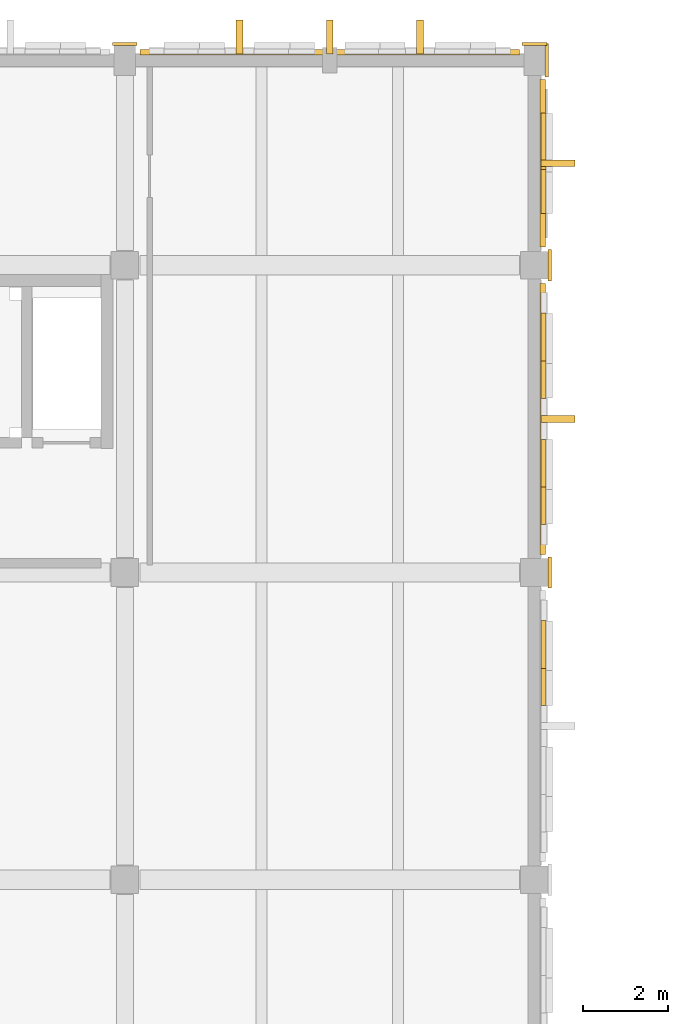
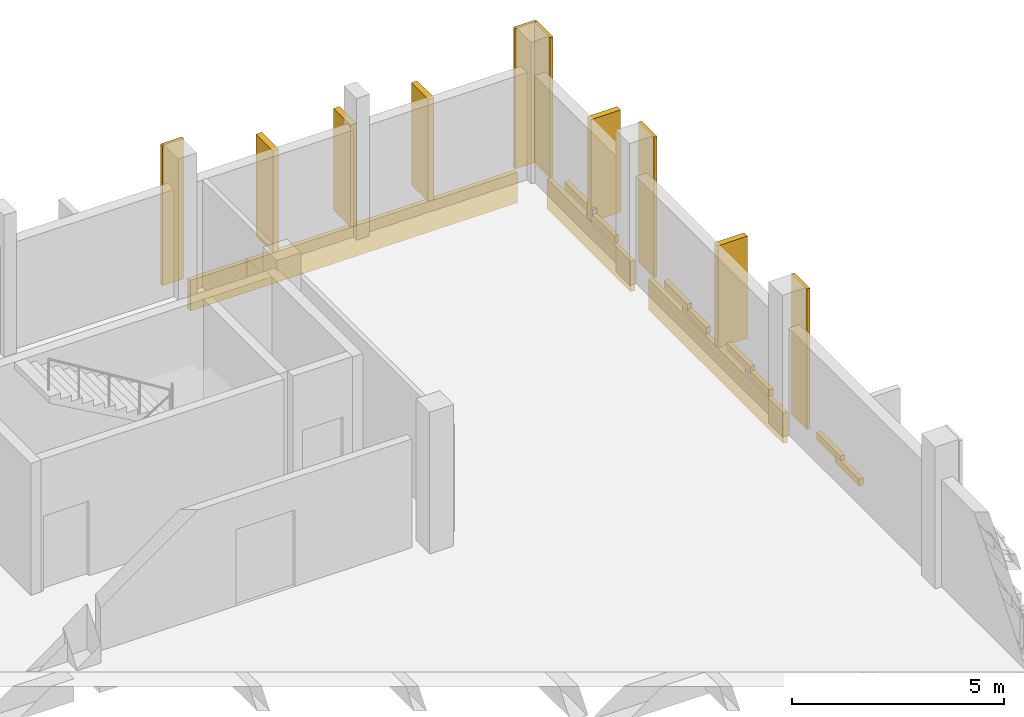
# One storey, part 68 of 72: 21 coverings.
"""IFC4 building model written with IfcOpenShell, lengths in metres."""

from ifc_helpers import new_model, si_unit, direction, frame, origin, origin_2d, place, context, subcontext, project, spatial, rectangle, extrude, material, layer, layer_set, type_object, element, save


model = new_model("IFC4")

# Units and contexts
model_context = context("Model", 3, precision=1e-05, world=origin(), true_north=direction((0.0, 1.0)))
body_context = subcontext(model_context, "Body", "Model", "MODEL_VIEW")
ifc_project = project(units=[si_unit("LENGTHUNIT", "METRE"), si_unit("AREAUNIT", "SQUARE_METRE"), si_unit("VOLUMEUNIT", "CUBIC_METRE"), si_unit("PLANEANGLEUNIT", "RADIAN"), si_unit("MASSUNIT", "GRAM", prefix="KILO")], contexts=[model_context])

# Site, building, storey
site_placement = place(None, origin())
site = spatial("IfcSite", under=ifc_project, at=site_placement, CompositionType="ELEMENT")
building_placement = place(site_placement, origin())
building = spatial("IfcBuilding", under=site, at=building_placement, Name="Asteropetra Specialist Clinic", CompositionType="ELEMENT")
storey_placement = place(building_placement, frame((0.0, 0.0, 12.580078125)))
storey = spatial("IfcBuildingStorey", under=building, at=storey_placement, Name="L03", CompositionType="ELEMENT", Elevation=12.580078125)

# Coverings
ifc_material_1 = material(Name="Chevron terracotta pale", Category="masonry")
ifc_layer_1 = layer(ifc_material_1, 0.1201171875)
ifc_layer_set_1 = layer_set([ifc_layer_1], Name="Chevron terracotta pale")
covering_type_1 = type_object("IfcCoveringType", Name="CLD-TER-PALE", PredefinedType="CLADDING", material=ifc_layer_set_1)
covering_1_placement = place(storey_placement, frame((43.199951171875, 110.590087890625, -0.800048828125), z_axis=(0.0, 0.0, 1.0), x_axis=(1.0, 0.0, 0.0)))
element("IfcCovering", 1, at=covering_1_placement, inside=storey, type_object=covering_type_1, Name="Chevron Spandrel Band CV-1501", PredefinedType="CLADDING", context=body_context, shape_type="SweptSolid", body=[
    extrude(rectangle(XDim=8.89990234375, YDim=0.1201171875, at=origin_2d()), origin(), (0.0, 0.0, 1.0), 0.8798828125),
])
for number, where, z_axis, x_axis, name in (
    (2, (48.205078125, 95.840087890625, 0.1201171875), (0.0, 0.0, 1.0), (1.0, 0.0, 0.0), "Chevron Ceramic Band CV-1548"),
    (3, (48.205078125, 96.71484375, 0.259765625), (0.0, 0.0, 1.0), (1.0, 0.0, 0.0), "Chevron Ceramic Band CV-1549"),
):
    element("IfcCovering", number, at=place(storey_placement, frame(where, z_axis=z_axis, x_axis=x_axis)), inside=storey, type_object=covering_type_1, Name=name, PredefinedType="CLADDING", context=body_context, shape_type="SweptSolid", body=[
        extrude(rectangle(XDim=0.1201171875, YDim=1.123046875, at=origin_2d()), origin(), (0.0, 0.0, 1.0), 0.199951171875),
    ])
covering_2_placement = place(storey_placement, frame((48.18994140625, 102.0, -0.800048828125), z_axis=(0.0, 0.0, 1.0), x_axis=(1.0, 0.0, 0.0)))
element("IfcCovering", 4, at=covering_2_placement, inside=storey, type_object=covering_type_1, Name="Chevron Spandrel Band CV-1555", PredefinedType="CLADDING", context=body_context, shape_type="SweptSolid", body=[
    extrude(rectangle(XDim=0.1201171875, YDim=6.35009765625, at=origin_2d()), origin(), (0.0, 0.0, 1.0), 0.8798828125),
])
for number, where, z_axis, x_axis, name in (
    (5, (48.205078125, 100.085205078125, 0.1201171875), (0.0, 0.0, 1.0), (1.0, 0.0, 0.0), "Chevron Ceramic Band CV-1556"),
    (6, (48.205078125, 100.959716796875, 0.259765625), (0.0, 0.0, 1.0), (1.0, 0.0, 0.0), "Chevron Ceramic Band CV-1557"),
    (7, (48.205078125, 103.040283203125, 0.1201171875), (0.0, 0.0, 1.0), (1.0, 0.0, 0.0), "Chevron Ceramic Band CV-1558"),
    (8, (48.205078125, 103.914794921875, 0.259765625), (0.0, 0.0, 1.0), (1.0, 0.0, 0.0), "Chevron Ceramic Band CV-1559"),
):
    element("IfcCovering", number, at=place(storey_placement, frame(where, z_axis=z_axis, x_axis=x_axis)), inside=storey, type_object=covering_type_1, Name=name, PredefinedType="CLADDING", context=body_context, shape_type="SweptSolid", body=[
        extrude(rectangle(XDim=0.1201171875, YDim=1.123046875, at=origin_2d()), origin(), (0.0, 0.0, 1.0), 0.199951171875),
    ])
covering_3_placement = place(storey_placement, frame((48.18994140625, 107.987548828125, -0.800048828125), z_axis=(0.0, 0.0, 1.0), x_axis=(1.0, 0.0, 0.0)))
element("IfcCovering", 9, at=covering_3_placement, inside=storey, type_object=covering_type_1, Name="Chevron Spandrel Band CV-1563", PredefinedType="CLADDING", context=body_context, shape_type="SweptSolid", body=[
    extrude(rectangle(XDim=0.1201171875, YDim=3.925048828125, at=origin_2d()), origin(), (0.0, 0.0, 1.0), 0.8798828125),
])
for number, where, z_axis, x_axis, name in (
    (10, (48.205078125, 107.470703125, 0.1201171875), (0.0, 0.0, 1.0), (1.0, 0.0, 0.0), "Chevron Ceramic Band CV-1564"),
    (11, (48.205078125, 108.50439453125, 0.259765625), (0.0, 0.0, 1.0), (1.0, 0.0, 0.0), "Chevron Ceramic Band CV-1565"),
):
    element("IfcCovering", number, at=place(storey_placement, frame(where, z_axis=z_axis, x_axis=x_axis)), inside=storey, type_object=covering_type_1, Name=name, PredefinedType="CLADDING", context=body_context, shape_type="SweptSolid", body=[
        extrude(rectangle(XDim=0.1201171875, YDim=1.323974609375, at=origin_2d()), origin(), (0.0, 0.0, 1.0), 0.199951171875),
    ])
ifc_material_2 = material(Name="Pentelic marble ashlar", Category="masonry")
ifc_layer_2 = layer(ifc_material_2, 0.159912109375)
ifc_layer_set_2 = layer_set([ifc_layer_2], Name="Pentelic marble ashlar")
covering_type_2 = type_object("IfcCoveringType", Name="CRN-ENTAB-600", PredefinedType="MOLDING", material=ifc_layer_set_2)
covering_4_placement = place(storey_placement, frame((38.39990234375, 110.781982421875, 0.02001953125), z_axis=(0.0, 0.0, 1.0), x_axis=(1.0, 0.0, 0.0)))
element("IfcCovering", 12, at=covering_4_placement, inside=storey, type_object=covering_type_2, Name="Neoclassical Pilaster Facing CM-0691", PredefinedType="MOLDING", context=body_context, shape_type="SweptSolid", body=[
    extrude(rectangle(XDim=0.580078125, YDim=0.080078125, at=origin_2d()), origin(), (0.0, 0.0, 1.0), 4.0400390625),
])
for number, where, z_axis, x_axis, name in (
    (13, (48.35693359375, 98.39990234375, 0.02001953125), (0.0, 0.0, 1.0), (1.0, 0.0, 0.0), "Neoclassical Pilaster Facing CM-0697"),
    (14, (48.35693359375, 105.60009765625, 0.02001953125), (0.0, 0.0, 1.0), (1.0, 0.0, 0.0), "Neoclassical Pilaster Facing CM-0698"),
):
    element("IfcCovering", number, at=place(storey_placement, frame(where, z_axis=z_axis, x_axis=x_axis)), inside=storey, type_object=covering_type_2, Name=name, PredefinedType="MOLDING", context=body_context, shape_type="SweptSolid", body=[
        extrude(rectangle(XDim=0.080078125, YDim=0.72998046875, at=origin_2d()), origin(), (0.0, 0.0, 1.0), 4.0400390625),
    ])
covering_5_placement = place(storey_placement, frame((48.0, 110.781982421875, 0.02001953125), z_axis=(0.0, 0.0, 1.0), x_axis=(1.0, 0.0, 0.0)))
element("IfcCovering", 15, at=covering_5_placement, inside=storey, type_object=covering_type_2, Name="Neoclassical Pilaster Facing CM-0699", PredefinedType="MOLDING", context=body_context, shape_type="SweptSolid", body=[
    extrude(rectangle(XDim=0.580078125, YDim=0.080078125, at=origin_2d()), origin(), (0.0, 0.0, 1.0), 4.0400390625),
])
covering_6_placement = place(storey_placement, frame((48.281982421875, 110.39990234375, 0.02001953125), z_axis=(0.0, 0.0, 1.0), x_axis=(1.0, 0.0, 0.0)))
element("IfcCovering", 16, at=covering_6_placement, inside=storey, type_object=covering_type_2, Name="Neoclassical Pilaster Facing CM-0700", PredefinedType="MOLDING", context=body_context, shape_type="SweptSolid", body=[
    extrude(rectangle(XDim=0.080078125, YDim=0.780029296875, at=origin_2d()), origin(), (0.0, 0.0, 1.0), 4.0400390625),
])
ifc_material_3 = material(Name="Pentelic marble solar fin", Category="masonry")
ifc_layer_3 = layer(ifc_material_3, 0.080078125)
ifc_layer_set_3 = layer_set([ifc_layer_3], Name="Pentelic marble solar fin")
covering_type_3 = type_object("IfcCoveringType", Name="FIN-SOLAR-800", PredefinedType="MOLDING", material=ifc_layer_set_3)
for number, where, z_axis, x_axis, name in (
    (17, (45.31494140625, 110.945068359375, 0.070068359375), (0.0, 0.0, 1.0), (1.0, 0.0, 0.0), "Solar Shading Fin FN-0097"),
    (18, (43.199951171875, 110.945068359375, 0.070068359375), (0.0, 0.0, 1.0), (1.0, 0.0, 0.0), "Solar Shading Fin FN-0098"),
    (19, (41.0849609375, 110.945068359375, 0.070068359375), (0.0, 0.0, 1.0), (1.0, 0.0, 0.0), "Solar Shading Fin FN-0099"),
):
    element("IfcCovering", number, at=place(storey_placement, frame(where, z_axis=z_axis, x_axis=x_axis)), inside=storey, type_object=covering_type_3, Name=name, PredefinedType="MOLDING", context=body_context, shape_type="SweptSolid", body=[
        extrude(rectangle(XDim=0.159912109375, YDim=0.800048828125, at=origin_2d()), origin(), (0.0, 0.0, 1.0), 2.93994140625),
    ])
for number, where, z_axis, x_axis, name in (
    (20, (48.544921875, 102.0, 0.070068359375), (0.0, 0.0, 1.0), (1.0, 0.0, 0.0), "Solar Shading Fin FN-0109"),
    (21, (48.544921875, 107.987548828125, 0.070068359375), (0.0, 0.0, 1.0), (1.0, 0.0, 0.0), "Solar Shading Fin FN-0111"),
):
    element("IfcCovering", number, at=place(storey_placement, frame(where, z_axis=z_axis, x_axis=x_axis)), inside=storey, type_object=covering_type_3, Name=name, PredefinedType="MOLDING", context=body_context, shape_type="SweptSolid", body=[
        extrude(rectangle(XDim=0.800048828125, YDim=0.159912109375, at=origin_2d()), origin(), (0.0, 0.0, 1.0), 2.93994140625),
    ])

save(model, "model.ifc")
